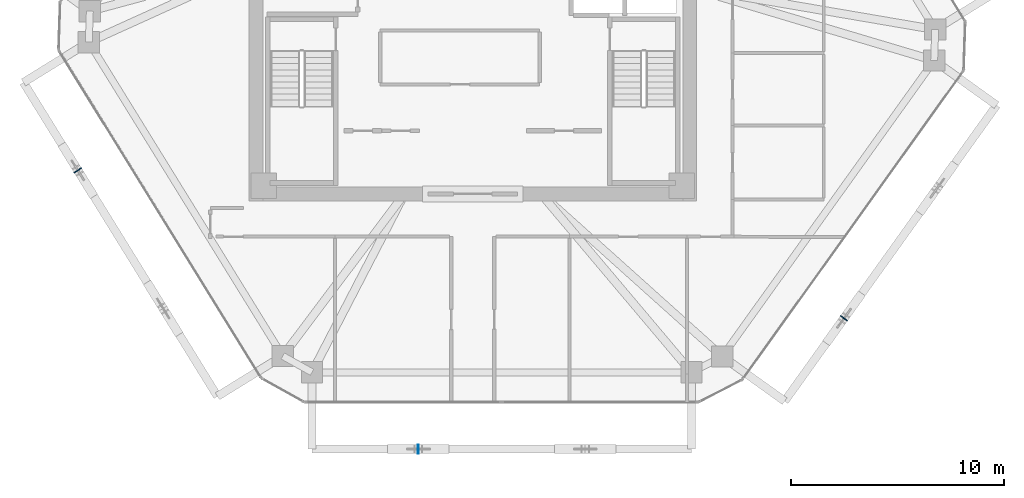
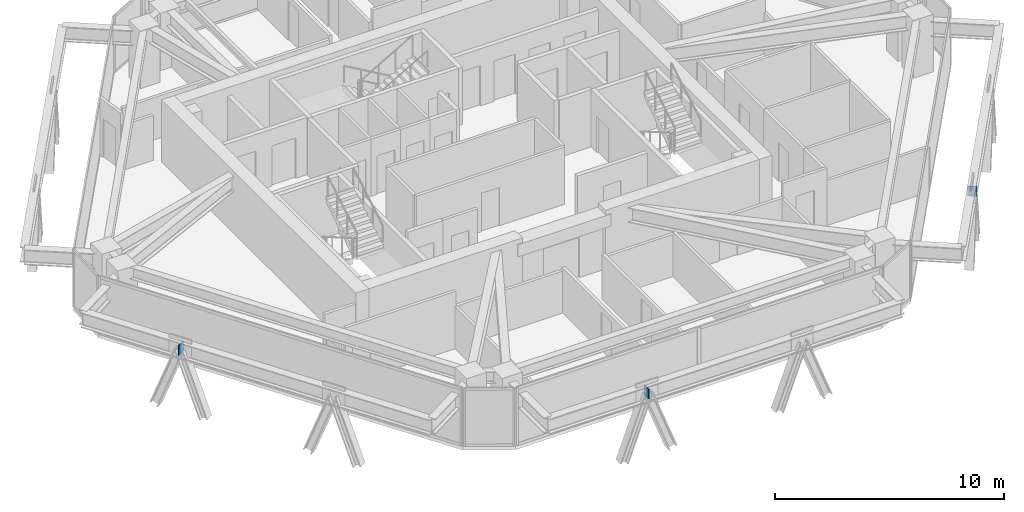
# One storey, part 8 of 14: 3 plates.
"""IFC4 building model written with IfcOpenShell, lengths in metres."""

from ifc_helpers import new_model, si_unit, direction, frame, origin, origin_2d, place, context, subcontext, project, spatial, rectangle, extrude, source, transform, mapped, material, layer, layer_set, type_object, type_shapes, element, save


model = new_model("IFC4")

# Units and contexts
model_context = context("Model", 3, precision=1e-05, world=origin(), true_north=direction((0.0, 1.0)))
body_context = subcontext(model_context, "Body", "Model", "MODEL_VIEW")
ifc_project = project(units=[si_unit("LENGTHUNIT", "METRE"), si_unit("AREAUNIT", "SQUARE_METRE"), si_unit("VOLUMEUNIT", "CUBIC_METRE"), si_unit("PLANEANGLEUNIT", "RADIAN"), si_unit("MASSUNIT", "GRAM", prefix="KILO")], contexts=[model_context])

# Site, building, storey
site_placement = place(None, origin())
site = spatial("IfcSite", under=ifc_project, at=site_placement, CompositionType="ELEMENT")
building_placement = place(site_placement, origin())
building = spatial("IfcBuilding", under=site, at=building_placement, Name="Durnholm Broadcast Tower", CompositionType="ELEMENT")
storey_placement = place(building_placement, frame((0.0, 0.0, 180.39990234375)))
storey = spatial("IfcBuildingStorey", under=building, at=storey_placement, Name="L49", CompositionType="ELEMENT", Elevation=180.39990234375)

# Plates
ifc_material = material(Name="Steel ASTM A572 Grade 50", Category="steel")
ifc_layer = layer(ifc_material, 0.044921875)
ifc_layer_set = layer_set([ifc_layer], Name="Steel ASTM A572 Grade 50")
plate_type = type_object("IfcPlateType", Name="PLT-KN-STIF", PredefinedType="SHEET", material=ifc_layer_set)
shared_shape = source(origin(), body_context, "Body", "SweptSolid", [
    extrude(rectangle(XDim=0.044921875, YDim=0.419921875, at=origin_2d()), origin(), (0.0, 0.0, 1.0), 0.52001953125),
])
type_shapes(plate_type, [shared_shape])
for number, where, z_axis, x_axis, name in (
    (1, (-2.556640625, -20.14208984375, 2.048583984375), (0.0, 0.0, 1.0), (1.0, 0.0, 0.0), "L49 welded diagrid node stiffener plate F1"),
    (2, (17.40966796875, -14.009521484375, 2.048583984375), (0.0, 0.0, 1.0), (0.582122970157, 0.813100761047, 0.0), "L49 welded diagrid node stiffener plate F2"),
    (3, (-18.5244140625, -7.07080078125, 2.048583984375), (0.0, 0.0, 1.0), (0.525768608156, -0.850627633385, 0.0), "L49 welded diagrid node stiffener plate F6"),
):
    element("IfcPlate", number, at=place(storey_placement, frame(where, z_axis=z_axis, x_axis=x_axis)), inside=storey, type_object=plate_type, Name=name, PredefinedType="SHEET", context=body_context, shape_type="MappedRepresentation", body=[
        mapped(shared_shape, transform((0.0, 0.0, 0.0), x_axis=(1.0, 0.0, 0.0), y_axis=(0.0, 1.0, 0.0), z_axis=(0.0, 0.0, 1.0), scale=1.0)),
    ])

save(model, "model.ifc")
